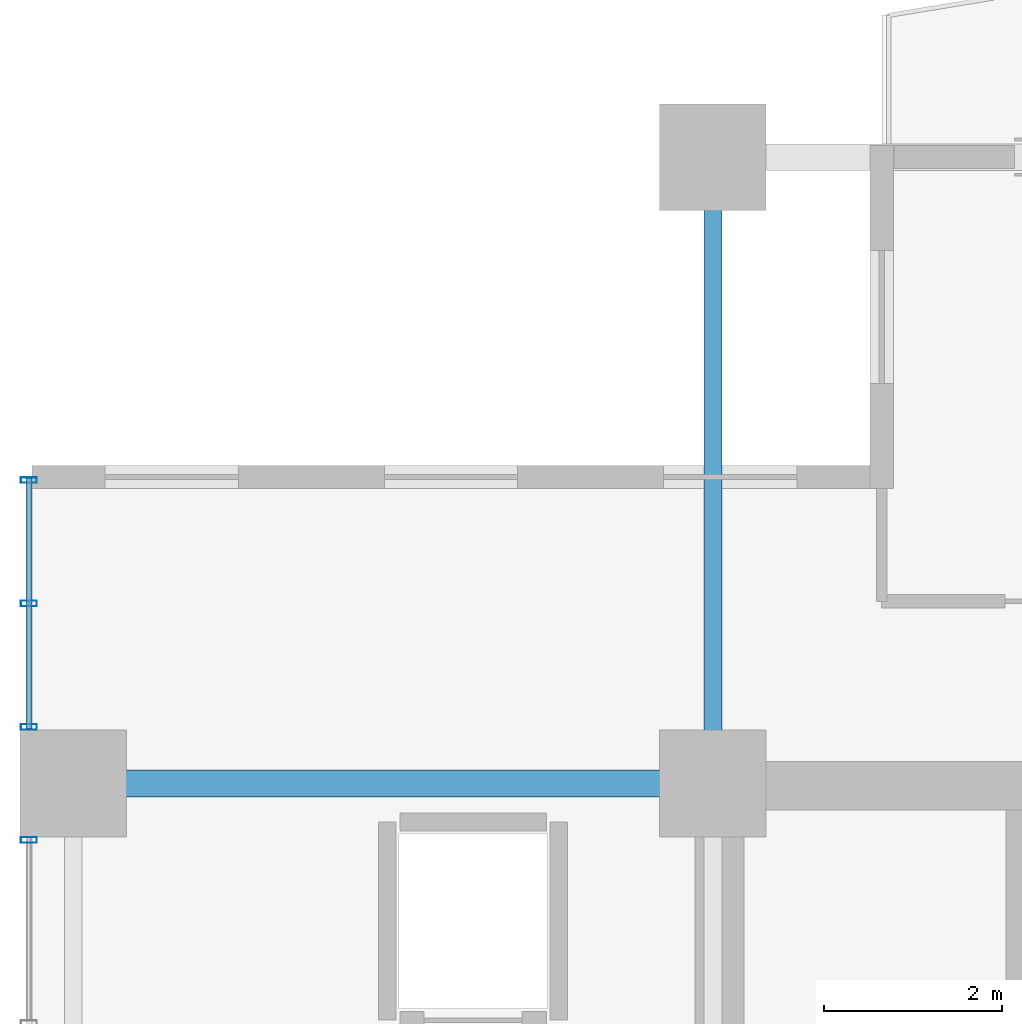
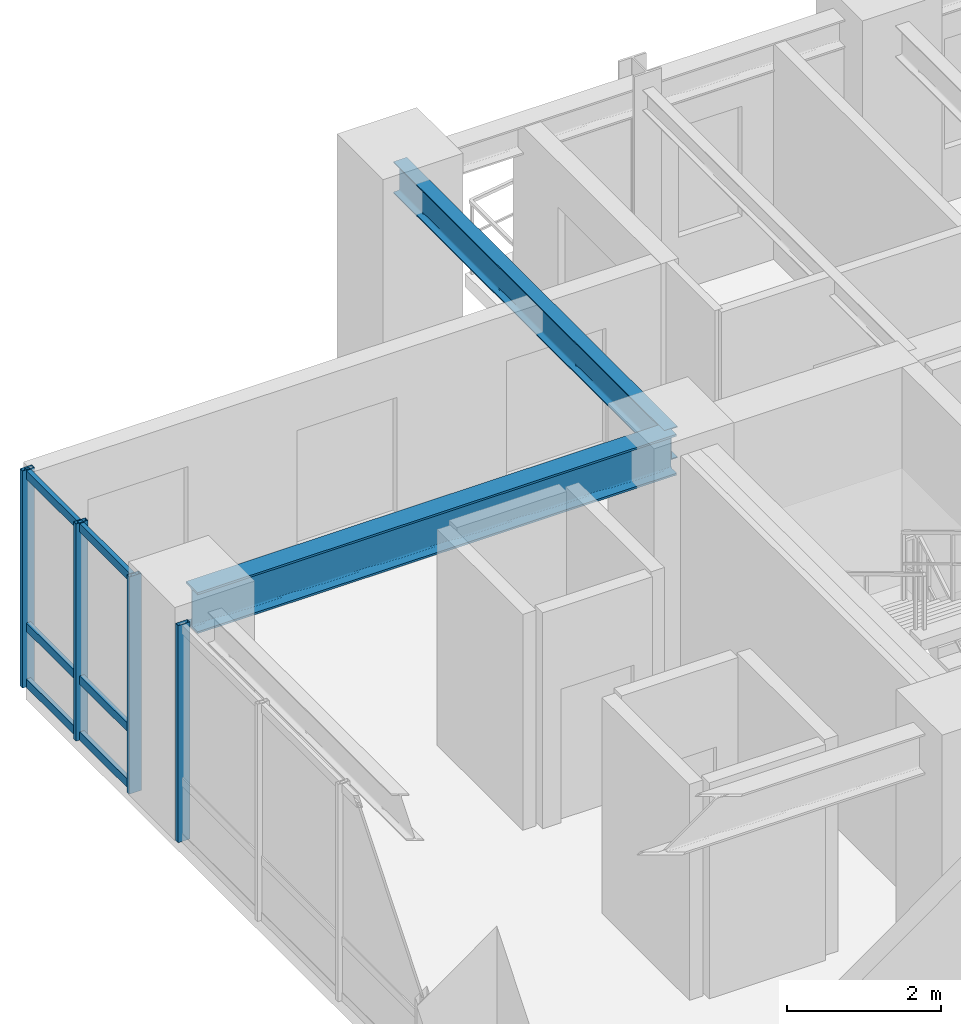
# One storey, part 6 of 18: 7 members, 2 beams, 2 elements without a shape of their own.
"""IFC4 building model written with IfcOpenShell, lengths in metres."""

from ifc_helpers import new_model, si_unit, direction, frame, origin, origin_2d, place, context, subcontext, project, spatial, hollow_rectangle, i_section, extrude, source, transform, mapped, material, layer, layer_set, material_profile, profile_set, type_object, element, aggregate, save


model = new_model("IFC4")

# Units and contexts
model_context = context("Model", 3, precision=1e-05, world=origin(), true_north=direction((0.0, 1.0)))
body_context = subcontext(model_context, "Body", "Model", "MODEL_VIEW")
ifc_project = project(units=[si_unit("LENGTHUNIT", "METRE"), si_unit("AREAUNIT", "SQUARE_METRE"), si_unit("VOLUMEUNIT", "CUBIC_METRE"), si_unit("PLANEANGLEUNIT", "RADIAN"), si_unit("MASSUNIT", "GRAM", prefix="KILO")], contexts=[model_context])

# Site, building, storey
site_placement = place(None, origin())
site = spatial("IfcSite", under=ifc_project, at=site_placement, CompositionType="ELEMENT")
building_placement = place(site_placement, origin())
building = spatial("IfcBuilding", under=site, at=building_placement, Name="Kaliganga Portal Commons", CompositionType="ELEMENT")
storey_placement = place(building_placement, frame((0.0, 0.0, 123.0)))
storey = spatial("IfcBuildingStorey", under=building, at=storey_placement, Name="L31", CompositionType="ELEMENT", Elevation=123.0)

# Beams
ifc_material_1 = material(Name="Structural steel S355J2", Category="steel")
ifc_material_profile_1 = material_profile(ifc_material_1, i_section(OverallWidth=0.300048828125, OverallDepth=0.64990234375, WebThickness=0.01611328125, FlangeThickness=0.031005859375, FilletRadius=0.027099609375, at=origin_2d()), Name="HE 650 B")
ifc_profile_set_1 = profile_set([ifc_material_profile_1], Name="Structural steel S355J2 wide-flange")
beam_type_1 = type_object("IfcBeamType", Name="BM-GIRD-650", PredefinedType="USERDEFINED", material=ifc_profile_set_1)
shared_shape_1 = source(origin(), body_context, "Body", "SweptSolid", [
    extrude(i_section(OverallWidth=0.300048828125, OverallDepth=0.64990234375, WebThickness=0.01611328125, FlangeThickness=0.031005859375, FilletRadius=0.027099609375, at=origin_2d()), origin(), (0.0, 0.0, 1.0), 7.199951171875),
])
beam_1_placement = place(storey_placement, frame((7.199951171875, 36.14990234375, 3.125), z_axis=(1.0, 0.0, 0.0), x_axis=(0.0, 1.0, 0.0)))
element("IfcBeam", 1, at=beam_1_placement, inside=storey, type_object=beam_type_1, Name="BM G L31 WAH_N 1", ObjectType="GIRDER", PredefinedType="USERDEFINED", context=body_context, shape_type="MappedRepresentation", body=[
    mapped(shared_shape_1, transform((0.0, 0.0, 0.0), x_axis=(1.0, 0.0, 0.0), y_axis=(0.0, 1.0, 0.0), z_axis=(0.0, 0.0, 1.0), scale=1.0)),
])
ifc_material_profile_2 = material_profile(ifc_material_1, i_section(OverallWidth=0.199951171875, OverallDepth=0.5, WebThickness=0.01025390625, FlangeThickness=0.01611328125, FilletRadius=0.02099609375, at=origin_2d()), Name="IPE 500")
ifc_profile_set_2 = profile_set([ifc_material_profile_2], Name="Structural steel S355J2 wide-flange")
beam_type_2 = type_object("IfcBeamType", Name="BM-FLR-500", PredefinedType="BEAM", material=ifc_profile_set_2)
shared_shape_2 = source(origin(), body_context, "Body", "SweptSolid", [
    extrude(i_section(OverallWidth=0.199951171875, OverallDepth=0.5, WebThickness=0.01025390625, FlangeThickness=0.01611328125, FilletRadius=0.02099609375, at=origin_2d()), origin(), (0.0, 0.0, 1.0), 7.050048828125),
])
beam_2_placement = place(storey_placement, frame((14.39990234375, 36.14990234375, 3.199951171875), z_axis=(0.0, 1.0, 0.0), x_axis=(-1.0, 0.0, 0.0)))
element("IfcBeam", 2, at=beam_2_placement, inside=storey, type_object=beam_type_2, Name="BM G L31 AN144", PredefinedType="BEAM", context=body_context, shape_type="MappedRepresentation", body=[
    mapped(shared_shape_2, transform((0.0, 0.0, 0.0), x_axis=(1.0, 0.0, 0.0), y_axis=(0.0, 1.0, 0.0), z_axis=(0.0, 0.0, 1.0), scale=1.0)),
])

# Curtain wall, members
ifc_material_2 = material(Name="Anodized Aluminium and Laminated Low-E Glass", Category="aluminium")
ifc_layer = layer(ifc_material_2, 0.199951171875)
ifc_layer_set = layer_set([ifc_layer], Name="Anodized Aluminium and Laminated Low-E Glass")
curtain_wall_type = type_object("IfcCurtainWallType", Name="CW-SYS-02", PredefinedType="NOTDEFINED", material=ifc_layer_set)
curtain_wall_1_placement = place(storey_placement, origin())
curtain_wall_1 = element("IfcCurtainWall", 3, at=curtain_wall_1_placement, inside=storey, type_object=curtain_wall_type, Name="CW 02 L31 P1E09S1", PredefinedType="NOTDEFINED")
ifc_material_3 = material(Name="Dark Bronze Anodized Aluminium", Category="aluminium")
ifc_material_profile_3 = material_profile(ifc_material_3, hollow_rectangle(XDim=0.06494140625, YDim=0.179931640625, WallThickness=0.00390625, at=origin_2d()), Name="ALU MULL 65x180x4")
ifc_profile_set_3 = profile_set([ifc_material_profile_3], Name="Dark Bronze Anodized Aluminium")
member_type_1 = type_object("IfcMemberType", Name="CW-MUL-180", PredefinedType="MULLION", material=ifc_profile_set_3)
shared_shape_3 = source(origin(), body_context, "Body", "SweptSolid", [
    extrude(hollow_rectangle(XDim=0.06494140625, YDim=0.179931640625, WallThickness=0.00390625, at=origin_2d()), origin(), (0.0, 0.0, 1.0), 3.449951171875),
])
member_1_placement = place(storey_placement, frame((6.699951171875, 39.56494140625, 0.0), z_axis=(0.0, 0.0, 1.0), x_axis=(0.0, -1.0, 0.0)))
member_1 = element("IfcMember", 4, at=member_1_placement, type_object=member_type_1, Name="CW:02:L31:P1E09S1 Mullion 00", PredefinedType="MULLION", context=body_context, shape_type="MappedRepresentation", body=[
    mapped(shared_shape_3, transform((0.0, 0.0, 0.0), x_axis=(1.0, 0.0, 0.0), y_axis=(0.0, 1.0, 0.0), z_axis=(0.0, 0.0, 1.0), scale=1.0)),
])
member_2_placement = place(storey_placement, frame((6.699951171875, 38.175537109375, 0.0), z_axis=(0.0, 0.0, 1.0), x_axis=(0.0, -1.0, 0.0)))
member_2 = element("IfcMember", 5, at=member_2_placement, type_object=member_type_1, Name="CW:02:L31:P1E09S1 Mullion 01", PredefinedType="MULLION", context=body_context, shape_type="MappedRepresentation", body=[
    mapped(shared_shape_3, transform((0.0, 0.0, 0.0), x_axis=(1.0, 0.0, 0.0), y_axis=(0.0, 1.0, 0.0), z_axis=(0.0, 0.0, 1.0), scale=1.0)),
])
member_3_placement = place(storey_placement, frame((6.699951171875, 36.785888671875, 0.0), z_axis=(0.0, 0.0, 1.0), x_axis=(0.0, -1.0, 0.0)))
member_3 = element("IfcMember", 6, at=member_3_placement, type_object=member_type_1, Name="CW:02:L31:P1E09S1 Mullion 02", PredefinedType="MULLION", context=body_context, shape_type="MappedRepresentation", body=[
    mapped(shared_shape_3, transform((0.0, 0.0, 0.0), x_axis=(1.0, 0.0, 0.0), y_axis=(0.0, 1.0, 0.0), z_axis=(0.0, 0.0, 1.0), scale=1.0)),
])

# Curtain wall, member
curtain_wall_2_placement = place(storey_placement, origin())
curtain_wall_2 = element("IfcCurtainWall", 7, at=curtain_wall_2_placement, inside=storey, type_object=curtain_wall_type, Name="CW 02 L31 P1E09S2", PredefinedType="NOTDEFINED")
member_4_placement = place(storey_placement, frame((6.699951171875, 35.513916015625, 0.0), z_axis=(0.0, 0.0, 1.0), x_axis=(0.0, -1.0, 0.0)))
member_4 = element("IfcMember", 8, at=member_4_placement, type_object=member_type_1, Name="CW:02:L31:P1E09S2 Mullion 00", PredefinedType="MULLION", context=body_context, shape_type="MappedRepresentation", body=[
    mapped(shared_shape_3, transform((0.0, 0.0, 0.0), x_axis=(1.0, 0.0, 0.0), y_axis=(0.0, 1.0, 0.0), z_axis=(0.0, 0.0, 1.0), scale=1.0)),
])
aggregate(curtain_wall_2, [member_4])

# Member
ifc_material_profile_4 = material_profile(ifc_material_3, hollow_rectangle(XDim=0.06494140625, YDim=0.135009765625, WallThickness=0.00341796875, at=origin_2d()), Name="ALU TRAN 65x135x3.5")
ifc_profile_set_4 = profile_set([ifc_material_profile_4], Name="Dark Bronze Anodized Aluminium")
member_type_2 = type_object("IfcMemberType", Name="CW-TRN-135", PredefinedType="USERDEFINED", material=ifc_profile_set_4)
shared_shape_4 = source(origin(), body_context, "Body", "SweptSolid", [
    extrude(hollow_rectangle(XDim=0.06494140625, YDim=0.135009765625, WallThickness=0.00341796875, at=origin_2d()), origin(), (0.0, 0.0, 1.0), 2.80908203125),
])
member_5_placement = place(storey_placement, frame((6.699951171875, 39.580078125, 0.06005859375), z_axis=(0.0, -1.0, 0.0), x_axis=(1.0, 0.0, 0.0)))
member_5 = element("IfcMember", 9, at=member_5_placement, type_object=member_type_2, Name="CW:02:L31:P1E09S1 Transom 1", ObjectType="TRANSOM", PredefinedType="USERDEFINED", context=body_context, shape_type="MappedRepresentation", body=[
    mapped(shared_shape_4, transform((0.0, 0.0, 0.0), x_axis=(1.0, 0.0, 0.0), y_axis=(0.0, 1.0, 0.0), z_axis=(0.0, 0.0, 1.0), scale=1.0)),
])

member_6_placement = place(storey_placement, frame((6.699951171875, 39.580078125, 0.949951171875), z_axis=(0.0, -1.0, 0.0), x_axis=(1.0, 0.0, 0.0)))
member_6 = element("IfcMember", 10, at=member_6_placement, type_object=member_type_2, Name="CW:02:L31:P1E09S1 Transom 2", ObjectType="TRANSOM", PredefinedType="USERDEFINED", context=body_context, shape_type="MappedRepresentation", body=[
    mapped(shared_shape_4, transform((0.0, 0.0, 0.0), x_axis=(1.0, 0.0, 0.0), y_axis=(0.0, 1.0, 0.0), z_axis=(0.0, 0.0, 1.0), scale=1.0)),
])

member_7_placement = place(storey_placement, frame((6.699951171875, 39.580078125, 3.3701171875), z_axis=(0.0, -1.0, 0.0), x_axis=(1.0, 0.0, 0.0)))
member_7 = element("IfcMember", 11, at=member_7_placement, type_object=member_type_2, Name="CW:02:L31:P1E09S1 Transom 3", ObjectType="TRANSOM", PredefinedType="USERDEFINED", context=body_context, shape_type="MappedRepresentation", body=[
    mapped(shared_shape_4, transform((0.0, 0.0, 0.0), x_axis=(1.0, 0.0, 0.0), y_axis=(0.0, 1.0, 0.0), z_axis=(0.0, 0.0, 1.0), scale=1.0)),
])

aggregate(curtain_wall_1, [member_1, member_2, member_3, member_5, member_6, member_7])

save(model, "model.ifc")
